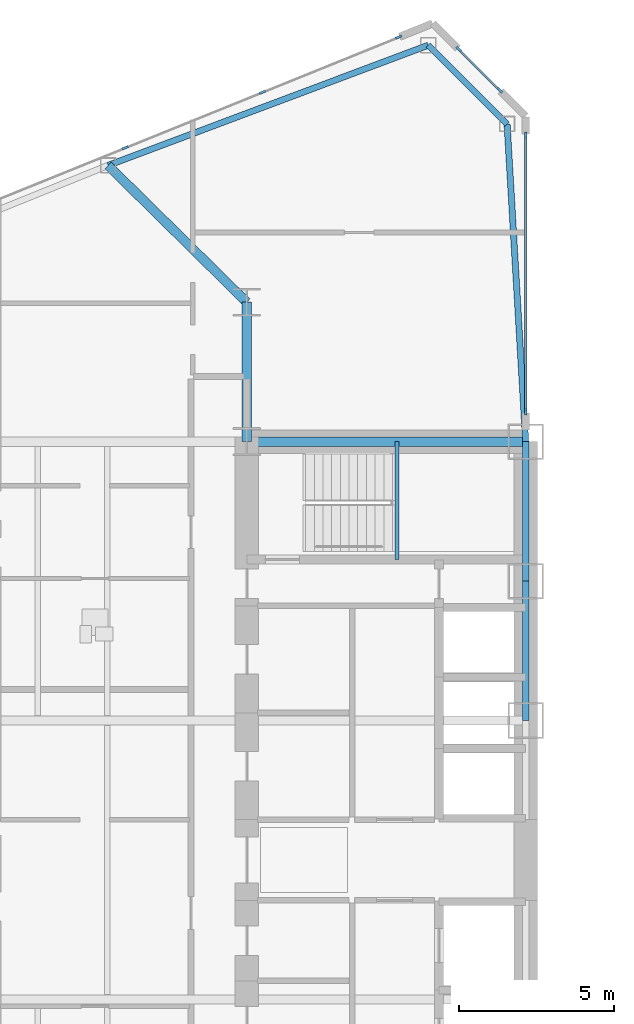
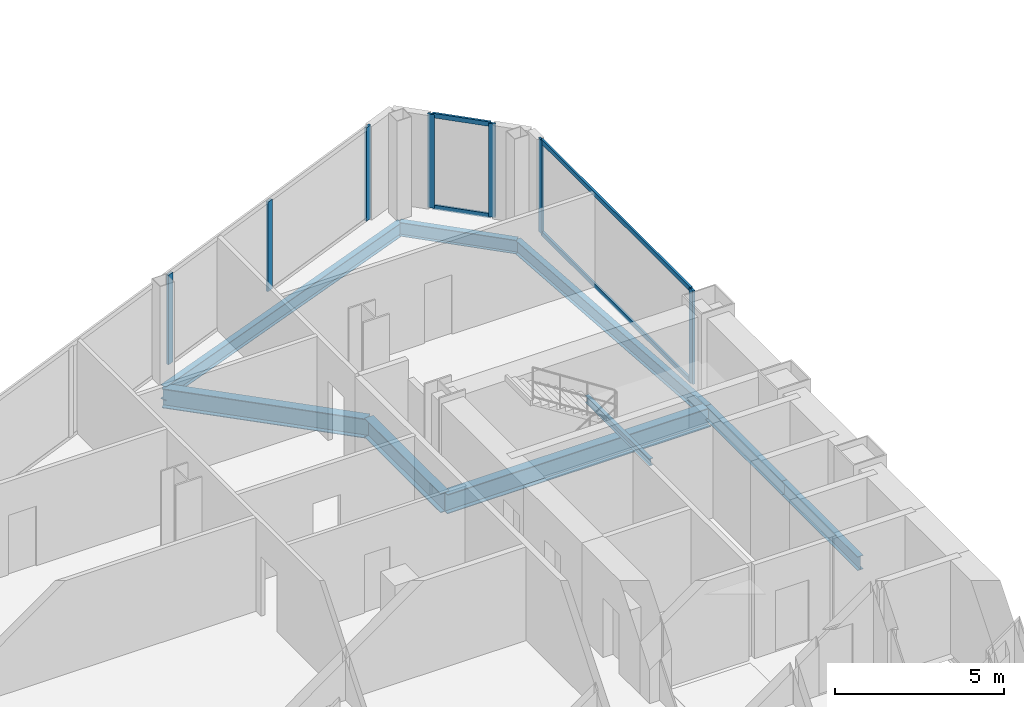
# One storey, part 8 of 25: 11 members, 9 beams, 3 elements without a shape of their own.
"""IFC4 building model written with IfcOpenShell, lengths in metres."""

from ifc_helpers import new_model, si_unit, direction, frame, origin, origin_2d, place, context, subcontext, project, spatial, rectangle, i_section, extrude, source, transform, mapped, material, layer, layer_set, material_profile, profile_set, type_object, type_shapes, element, aggregate, save


model = new_model("IFC4")

# Units and contexts
model_context = context("Model", 3, precision=1e-05, world=origin(), true_north=direction((0.0, 1.0)))
body_context = subcontext(model_context, "Body", "Model", "MODEL_VIEW")
ifc_project = project(units=[si_unit("LENGTHUNIT", "METRE"), si_unit("AREAUNIT", "SQUARE_METRE"), si_unit("VOLUMEUNIT", "CUBIC_METRE"), si_unit("PLANEANGLEUNIT", "RADIAN"), si_unit("MASSUNIT", "GRAM", prefix="KILO")], contexts=[model_context])

# Site, building, storey
site_placement = place(None, origin())
site = spatial("IfcSite", under=ifc_project, at=site_placement, CompositionType="ELEMENT")
building_placement = place(site_placement, origin())
building = spatial("IfcBuilding", under=site, at=building_placement, Name="Seokmaru Belvedere", CompositionType="ELEMENT")
storey_placement = place(building_placement, frame((0.0, 0.0, 47.699951171875)))
storey = spatial("IfcBuildingStorey", under=building, at=storey_placement, Name="L12", CompositionType="ELEMENT", Elevation=47.699951171875)

# Beams
ifc_material_1 = material(Name="Steel SM355 (355 MPa)", Category="steel")
ifc_material_profile_1 = material_profile(ifc_material_1, i_section(OverallWidth=0.199951171875, OverallDepth=0.5, WebThickness=0.010009765625, FlangeThickness=0.01611328125, at=origin_2d()), Name="H-500x200x10x16")
ifc_profile_set_1 = profile_set([ifc_material_profile_1], Name="Steel SM355 (355 MPa)")
beam_type_1 = type_object("IfcBeamType", Name="Perimeter Spandrel Beam H-500", PredefinedType="SPANDREL", material=ifc_profile_set_1)
shared_shape_1 = source(origin(), body_context, "Body", "SweptSolid", [
    extrude(i_section(OverallWidth=0.199951171875, OverallDepth=0.5, WebThickness=0.010009765625, FlangeThickness=0.01611328125, at=origin_2d()), origin(), (0.0, 0.0, 1.0), 4.5),
])
for number, where, z_axis, x_axis, name in (
    (1, (-27.5, 4.5, -0.469970703125), (0.0, 1.0, 0.0), (-1.0, 0.0, 0.0), "L12 W Portal Spine Spandrel 4"),
    (2, (-27.5, 9.0, -0.469970703125), (0.0, 1.0, 0.0), (-1.0, 0.0, 0.0), "L12 W Portal Spine Spandrel 5"),
):
    element("IfcBeam", number, at=place(storey_placement, frame(where, z_axis=z_axis, x_axis=x_axis)), inside=storey, type_object=beam_type_1, Name=name, PredefinedType="SPANDREL", context=body_context, shape_type="MappedRepresentation", body=[
        mapped(shared_shape_1, transform((0.0, 0.0, 0.0), scale=1.0)),
    ])
ifc_material_profile_2 = material_profile(ifc_material_1, i_section(OverallWidth=0.300048828125, OverallDepth=0.699951171875, WebThickness=0.012939453125, FlangeThickness=0.02392578125, at=origin_2d()), Name="H-700x300x13x24")
ifc_profile_set_2 = profile_set([ifc_material_profile_2], Name="Steel SM355 (355 MPa)")
beam_type_2 = type_object("IfcBeamType", Name="Primary Floor Girder H-700", PredefinedType="BEAM", material=ifc_profile_set_2)
shared_shape_2 = source(origin(), body_context, "Body", "SweptSolid", [
    extrude(i_section(OverallWidth=0.300048828125, OverallDepth=0.699951171875, WebThickness=0.012939453125, FlangeThickness=0.02392578125, at=origin_2d()), origin(), (0.0, 0.0, 1.0), 4.5),
])
beam_1_placement = place(storey_placement, frame((-36.5, 13.5, -0.570068359375), z_axis=(0.0, 1.0, 0.0), x_axis=(-1.0, 0.0, 0.0)))
element("IfcBeam", 3, at=beam_1_placement, inside=storey, type_object=beam_type_2, Name="L12 W Core Shoulder Girder N", PredefinedType="BEAM", context=body_context, shape_type="MappedRepresentation", body=[
    mapped(shared_shape_2, transform((0.0, 0.0, 0.0), scale=1.0)),
])
shared_shape_3 = source(origin(), body_context, "Body", "SweptSolid", [
    extrude(i_section(OverallWidth=0.300048828125, OverallDepth=0.699951171875, WebThickness=0.012939453125, FlangeThickness=0.02392578125, at=origin_2d()), origin(), (0.0, 0.0, 1.0), 9.0),
])
beam_2_placement = place(storey_placement, frame((-36.5, 13.5, -0.570068359375), z_axis=(1.0, 0.0, 0.0), x_axis=(0.0, 1.0, 0.0)))
element("IfcBeam", 4, at=beam_2_placement, inside=storey, type_object=beam_type_2, Name="L12 W Core Tie Girder 4", PredefinedType="BEAM", context=body_context, shape_type="MappedRepresentation", body=[
    mapped(shared_shape_3, transform((0.0, 0.0, 0.0), scale=1.0)),
])
shared_shape_4 = source(origin(), body_context, "Body", "SweptSolid", [
    extrude(i_section(OverallWidth=0.199951171875, OverallDepth=0.5, WebThickness=0.010009765625, FlangeThickness=0.01611328125, at=origin_2d()), origin(), (0.0, 0.0, 1.0), 11.03857421875),
])
beam_3_placement = place(storey_placement, frame((-30.643310546875, 26.294677734375, -0.469970703125), z_axis=(-0.936169110734, -0.351549990907, 0.0), x_axis=(0.351549990907, -0.936169110734, 0.0)))
element("IfcBeam", 5, at=beam_3_placement, inside=storey, type_object=beam_type_1, Name="L12 W Faceted Flank Spandrel N-1", PredefinedType="SPANDREL", context=body_context, shape_type="MappedRepresentation", body=[
    mapped(shared_shape_4, transform((0.0, 0.0, 0.0), scale=1.0)),
])
shared_shape_5 = source(origin(), body_context, "Body", "SweptSolid", [
    extrude(i_section(OverallWidth=0.199951171875, OverallDepth=0.5, WebThickness=0.010009765625, FlangeThickness=0.01611328125, at=origin_2d()), origin(), (0.0, 0.0, 1.0), 3.5966796875),
])
beam_4_placement = place(storey_placement, frame((-30.643310546875, 26.294677734375, -0.469970703125), z_axis=(0.707106781187, -0.707106781187, 0.0), x_axis=(0.707106781187, 0.707106781187, 0.0)))
element("IfcBeam", 6, at=beam_4_placement, inside=storey, type_object=beam_type_1, Name="L12 W Shoulder Chamfer Spandrel N", PredefinedType="SPANDREL", context=body_context, shape_type="MappedRepresentation", body=[
    mapped(shared_shape_5, transform((0.0, 0.0, 0.0), scale=1.0)),
])
shared_shape_6 = source(origin(), body_context, "Body", "SweptSolid", [
    extrude(i_section(OverallWidth=0.199951171875, OverallDepth=0.5, WebThickness=0.010009765625, FlangeThickness=0.01611328125, at=origin_2d()), origin(), (0.0, 0.0, 1.0), 10.26904296875),
])
type_shapes(beam_type_1, [shared_shape_1, shared_shape_4, shared_shape_5, shared_shape_6])
beam_5_placement = place(storey_placement, frame((-28.10009765625, 23.75146484375, -0.469970703125), z_axis=(0.058437709399, -0.998291056817, 0.0), x_axis=(0.998291056817, 0.058437709399, 0.0)))
element("IfcBeam", 7, at=beam_5_placement, inside=storey, type_object=beam_type_1, Name="L12 W Shoulder Spine Spandrel N", PredefinedType="SPANDREL", context=body_context, shape_type="MappedRepresentation", body=[
    mapped(shared_shape_6, transform((0.0, 0.0, 0.0), scale=1.0)),
])
shared_shape_7 = source(origin(), body_context, "Body", "SweptSolid", [
    extrude(i_section(OverallWidth=0.300048828125, OverallDepth=0.699951171875, WebThickness=0.012939453125, FlangeThickness=0.02392578125, at=origin_2d()), origin(), (0.0, 0.0, 1.0), 6.287353515625),
])
type_shapes(beam_type_2, [shared_shape_2, shared_shape_3, shared_shape_7])
beam_6_placement = place(storey_placement, frame((-40.977294921875, 22.4140625, -0.570068359375), z_axis=(0.712117485263, -0.702060315915, 0.0), x_axis=(0.702060315915, 0.712117485263, 0.0)))
element("IfcBeam", 8, at=beam_6_placement, inside=storey, type_object=beam_type_2, Name="L12 W Flank Radial Floor Girder N-1", PredefinedType="BEAM", context=body_context, shape_type="MappedRepresentation", body=[
    mapped(shared_shape_7, transform((0.0, 0.0, 0.0), scale=1.0)),
])

# Curtain wall, members
ifc_material_2 = material(Name="Bronze Triple Insulating Glass", Category="glass")
ifc_layer = layer(ifc_material_2, 0.2099609375)
ifc_layer_set = layer_set([ifc_layer], Name="Bronze Triple Insulating Glass")
curtain_wall_type = type_object("IfcCurtainWallType", Name="Low-Rise Faceted Crystal Curtain Wall System CW-2", PredefinedType="NOTDEFINED", material=ifc_layer_set)
curtain_wall_1_placement = place(storey_placement, origin())
curtain_wall_1 = element("IfcCurtainWall", 9, at=curtain_wall_1_placement, inside=storey, type_object=curtain_wall_type, Name="L12 Curtain Wall WSP_2", PredefinedType="NOTDEFINED")
ifc_material_3 = material(Name="Anodised Bronze Aluminium", Category="aluminium")
ifc_material_profile_3 = material_profile(ifc_material_3, rectangle(XDim=0.074951171875, YDim=0.2099609375, at=origin_2d()), Name="CW-M-75x210")
ifc_profile_set_3 = profile_set([ifc_material_profile_3], Name="Anodised Bronze Aluminium")
member_type_1 = type_object("IfcMemberType", Name="Bronze Unitised Mullion 75x210", PredefinedType="MULLION", material=ifc_profile_set_3)
shared_shape_8 = source(origin(), body_context, "Body", "SweptSolid", [
    extrude(rectangle(XDim=0.074951171875, YDim=0.2099609375, at=origin_2d()), origin(), (0.0, 0.0, 1.0), 3.380126953125),
])
member_1_placement = place(storey_placement, frame((-27.5, 14.467529296875, 0.0), z_axis=(0.0, 0.0, 1.0), x_axis=(-1.0, 0.0, 0.0)))
member_1 = element("IfcMember", 10, at=member_1_placement, type_object=member_type_1, Name="CW:L12:WSP_2 Mullion 1", PredefinedType="MULLION", context=body_context, shape_type="MappedRepresentation", body=[
    mapped(shared_shape_8, transform((0.0, 0.0, 0.0), scale=1.0)),
])
member_2_placement = place(storey_placement, frame((-27.5, 23.392578125, 0.0), z_axis=(0.0, 0.0, 1.0), x_axis=(-1.0, 0.0, 0.0)))
member_2 = element("IfcMember", 11, at=member_2_placement, type_object=member_type_1, Name="CW:L12:WSP_2 Mullion 2", PredefinedType="MULLION", context=body_context, shape_type="MappedRepresentation", body=[
    mapped(shared_shape_8, transform((0.0, 0.0, 0.0), scale=1.0)),
])

curtain_wall_2_placement = place(storey_placement, origin())
curtain_wall_2 = element("IfcCurtainWall", 12, at=curtain_wall_2_placement, inside=storey, type_object=curtain_wall_type, Name="L12 Curtain Wall WF2", PredefinedType="NOTDEFINED")
member_3_placement = place(storey_placement, frame((-28.339599609375, 24.839599609375, 0.0), z_axis=(0.0, 0.0, 1.0), x_axis=(-0.707106781187, -0.707106781187, 0.0)))
member_3 = element("IfcMember", 13, at=member_3_placement, type_object=member_type_1, Name="CW:L12:WF2 Mullion 1", PredefinedType="MULLION", context=body_context, shape_type="MappedRepresentation", body=[
    mapped(shared_shape_8, transform((0.0, 0.0, 0.0), scale=1.0)),
])
member_4_placement = place(storey_placement, frame((-29.660400390625, 26.160400390625, 0.0), z_axis=(0.0, 0.0, 1.0), x_axis=(-0.707106781187, -0.707106781187, 0.0)))
member_4 = element("IfcMember", 14, at=member_4_placement, type_object=member_type_1, Name="CW:L12:WF2 Mullion 2", PredefinedType="MULLION", context=body_context, shape_type="MappedRepresentation", body=[
    mapped(shared_shape_8, transform((0.0, 0.0, 0.0), scale=1.0)),
])

# Curtain wall, member
curtain_wall_3_placement = place(storey_placement, origin())
curtain_wall_3 = element("IfcCurtainWall", 15, at=curtain_wall_3_placement, inside=storey, type_object=curtain_wall_type, Name="L12 Curtain Wall WF3", PredefinedType="NOTDEFINED")
member_5_placement = place(storey_placement, frame((-31.600830078125, 26.554443359375, 0.0), z_axis=(0.0, 0.0, 1.0), x_axis=(0.375192321888, -0.926946989637, 0.0)))
member_5 = element("IfcMember", 16, at=member_5_placement, type_object=member_type_1, Name="CW:L12:WF3 Mullion 1", PredefinedType="MULLION", context=body_context, shape_type="MappedRepresentation", body=[
    mapped(shared_shape_8, transform((0.0, 0.0, 0.0), scale=1.0)),
])

# Member
ifc_material_profile_4 = material_profile(ifc_material_3, rectangle(XDim=0.070068359375, YDim=0.1650390625, at=origin_2d()), Name="CW-T-70x165")
ifc_profile_set_4 = profile_set([ifc_material_profile_4], Name="Anodised Bronze Aluminium")
member_type_2 = type_object("IfcMemberType", Name="Bronze Unitised Transom 70x165", PredefinedType="USERDEFINED", material=ifc_profile_set_4)
shared_shape_9 = source(origin(), body_context, "Body", "SweptSolid", [
    extrude(rectangle(XDim=0.070068359375, YDim=0.1650390625, at=origin_2d()), origin(), (0.0, 0.0, 1.0), 8.85009765625),
])
member_6_placement = place(storey_placement, frame((-27.5, 14.5048828125, 0.03515625), z_axis=(0.0, 1.0, 0.0), x_axis=(-1.0, 0.0, 0.0)))
member_6 = element("IfcMember", 17, at=member_6_placement, type_object=member_type_2, Name="CW:L12:WSP_2 Continuous Transom 1", ObjectType="TRANSOM", PredefinedType="USERDEFINED", context=body_context, shape_type="MappedRepresentation", body=[
    mapped(shared_shape_9, transform((0.0, 0.0, 0.0), scale=1.0)),
])

member_7_placement = place(storey_placement, frame((-27.5, 14.5048828125, 3.344970703125), z_axis=(0.0, 1.0, 0.0), x_axis=(-1.0, 0.0, 0.0)))
member_7 = element("IfcMember", 18, at=member_7_placement, type_object=member_type_2, Name="CW:L12:WSP_2 Continuous Transom 2", ObjectType="TRANSOM", PredefinedType="USERDEFINED", context=body_context, shape_type="MappedRepresentation", body=[
    mapped(shared_shape_9, transform((0.0, 0.0, 0.0), scale=1.0)),
])

aggregate(curtain_wall_1, [member_1, member_2, member_6, member_7])

shared_shape_10 = source(origin(), body_context, "Body", "SweptSolid", [
    extrude(rectangle(XDim=0.070068359375, YDim=0.1650390625, at=origin_2d()), origin(), (0.0, 0.0, 1.0), 1.792724609375),
])
type_shapes(member_type_2, [shared_shape_9, shared_shape_10])
member_8_placement = place(storey_placement, frame((-28.3662109375, 24.8662109375, 0.03515625), z_axis=(-0.707106781187, 0.707106781187, 0.0), x_axis=(-0.707106781187, -0.707106781187, 0.0)))
member_8 = element("IfcMember", 19, at=member_8_placement, type_object=member_type_2, Name="CW:L12:WF2 Continuous Transom 1", ObjectType="TRANSOM", PredefinedType="USERDEFINED", context=body_context, shape_type="MappedRepresentation", body=[
    mapped(shared_shape_10, transform((0.0, 0.0, 0.0), scale=1.0)),
])

member_9_placement = place(storey_placement, frame((-28.3662109375, 24.8662109375, 3.344970703125), z_axis=(-0.707106781187, 0.707106781187, 0.0), x_axis=(-0.707106781187, -0.707106781187, 0.0)))
member_9 = element("IfcMember", 20, at=member_9_placement, type_object=member_type_2, Name="CW:L12:WF2 Continuous Transom 2", ObjectType="TRANSOM", PredefinedType="USERDEFINED", context=body_context, shape_type="MappedRepresentation", body=[
    mapped(shared_shape_10, transform((0.0, 0.0, 0.0), scale=1.0)),
])

aggregate(curtain_wall_2, [member_3, member_4, member_8, member_9])

shared_shape_11 = source(origin(), body_context, "Body", "SweptSolid", [
    extrude(rectangle(XDim=0.074951171875, YDim=0.2099609375, at=origin_2d()), origin(), (0.0, 0.0, 1.0), 3.239990234375),
])
type_shapes(member_type_1, [shared_shape_8, shared_shape_11])
member_10_placement = place(storey_placement, frame((-35.995849609375, 24.775390625, 0.070068359375), z_axis=(0.0, 0.0, 1.0), x_axis=(0.375192321888, -0.926946989637, 0.0)))
member_10 = element("IfcMember", 21, at=member_10_placement, type_object=member_type_1, Name="CW:L12:WF3 Mullion 2", PredefinedType="MULLION", context=body_context, shape_type="MappedRepresentation", body=[
    mapped(shared_shape_11, transform((0.0, 0.0, 0.0), scale=1.0)),
])

member_11_placement = place(storey_placement, frame((-40.425537109375, 22.982421875, 0.070068359375), z_axis=(0.0, 0.0, 1.0), x_axis=(0.375192321888, -0.926946989637, 0.0)))
member_11 = element("IfcMember", 22, at=member_11_placement, type_object=member_type_1, Name="CW:L12:WF3 Mullion 3", PredefinedType="MULLION", context=body_context, shape_type="MappedRepresentation", body=[
    mapped(shared_shape_11, transform((0.0, 0.0, 0.0), scale=1.0)),
])

aggregate(curtain_wall_3, [member_5, member_10, member_11])

# Beam
ifc_material_profile_5 = material_profile(ifc_material_1, i_section(OverallWidth=0.125, OverallDepth=0.25, WebThickness=0.006103515625, FlangeThickness=0.009033203125, at=origin_2d()), Name="H-250x125x6x9")
ifc_profile_set_5 = profile_set([ifc_material_profile_5], Name="Steel SM355 (355 MPa)")
beam_type_3 = type_object("IfcBeamType", Name="Stair Mid-Landing Support Beam H-250", PredefinedType="JOIST", material=ifc_profile_set_5)
shared_shape_12 = source(origin(), body_context, "Body", "SweptSolid", [
    extrude(i_section(OverallWidth=0.125, OverallDepth=0.25, WebThickness=0.006103515625, FlangeThickness=0.009033203125, at=origin_2d()), origin(), (0.0, 0.0, 1.0), 3.800048828125),
])
type_shapes(beam_type_3, [shared_shape_12])
beam_7_placement = place(storey_placement, frame((-31.64990234375, 9.699951171875, 1.47509765625), z_axis=(0.0, 1.0, 0.0), x_axis=(-1.0, 0.0, 0.0)))
element("IfcBeam", 23, at=beam_7_placement, inside=storey, type_object=beam_type_3, Name="L12 Stair ST-W2 Mid-Landing Support Beam 1", PredefinedType="JOIST", context=body_context, shape_type="MappedRepresentation", body=[
    mapped(shared_shape_12, transform((0.0, 0.0, 0.0), scale=1.0)),
])

save(model, "model.ifc")
